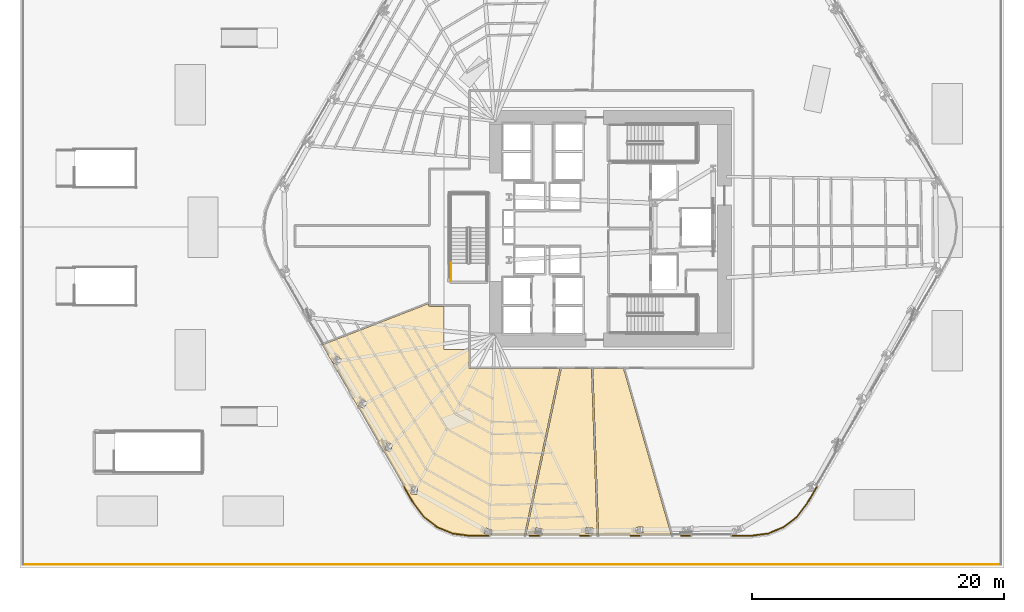
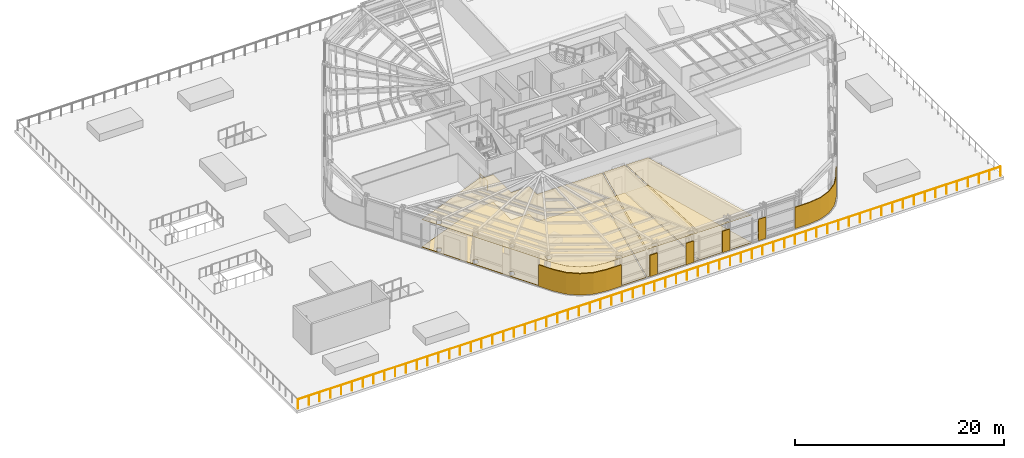
# One storey, part 12 of 18: 12 coverings, 2 railings.
"""IFC4 building model written with IfcOpenShell, lengths in metres."""

from ifc_helpers import new_model, si_unit, direction, frame, origin, origin_2d, place, context, subcontext, project, spatial, polyline, circle, outline, extrude, material, layer, layer_set, type_object, element, save


model = new_model("IFC4")

# Units and contexts
model_context = context("Model", 3, precision=1e-05, world=origin(), true_north=direction((0.0, 1.0)))
body_context = subcontext(model_context, "Body", "Model", "MODEL_VIEW")
ifc_project = project(units=[si_unit("LENGTHUNIT", "METRE"), si_unit("AREAUNIT", "SQUARE_METRE"), si_unit("VOLUMEUNIT", "CUBIC_METRE"), si_unit("PLANEANGLEUNIT", "RADIAN"), si_unit("MASSUNIT", "GRAM", prefix="KILO")], contexts=[model_context])

# Site, building, storey
site_placement = place(None, origin())
site = spatial("IfcSite", under=ifc_project, at=site_placement, CompositionType="ELEMENT")
building_placement = place(site_placement, origin())
building = spatial("IfcBuilding", under=site, at=building_placement, Name="Valkerne Bourse Tower", CompositionType="ELEMENT")
storey_placement = place(building_placement, frame((0.0, 0.0, 24.0)))
storey = spatial("IfcBuildingStorey", under=building, at=storey_placement, Name="L05", CompositionType="ELEMENT", Elevation=24.0)

# Coverings
ifc_material_1 = material(Name="Mineral Fiber Acoustic Ceiling Tile", Category="acoustic")
ifc_layer_1 = layer(ifc_material_1, 0.02490234375)
ifc_layer_set_1 = layer_set([ifc_layer_1], Name="Mineral Fiber Acoustic Ceiling Tile")
covering_type_1 = type_object("IfcCoveringType", Name="COV-CEIL-ACT", PredefinedType="CEILING", material=ifc_layer_set_1)
covering_1_placement = place(storey_placement, frame((0.0, 0.0, 3.22998046875)))
element("IfcCovering", 1, at=covering_1_placement, inside=storey, type_object=covering_type_1, Name="L05 Suspended Ceiling 03", PredefinedType="CEILING", context=body_context, shape_type="SweptSolid", body=[
    extrude(outline(polyline([(45.294189453125, 15.781005859375), (45.75634765625, 2.548828125), (40.096923828125, 2.548828125), (42.909423828125, 15.781005859375), (45.294189453125, 15.781005859375)]), holes=[polyline([(40.90625, 3.181640625), (40.90283203125, 3.182373046875), (40.79443359375, 2.732666015625), (41.352294921875, 2.59814453125), (41.355712890625, 2.59716796875), (41.46435546875, 3.047119140625), (40.90625, 3.181640625)]), polyline([(45.430419921875, 3.152587890625), (44.857666015625, 3.195556640625), (44.854248046875, 3.19580078125), (44.819580078125, 2.734619140625), (45.39208984375, 2.69140625), (45.3955078125, 2.691162109375), (45.430419921875, 3.152587890625)])]), origin(), (0.0, 0.0, 1.0), 0.02490234375),
])
covering_2_placement = place(storey_placement, frame((0.0, 0.0, 3.22998046875)))
element("IfcCovering", 2, at=covering_2_placement, inside=storey, type_object=covering_type_1, Name="L05 Suspended Ceiling 04", PredefinedType="CEILING", context=body_context, shape_type="SweptSolid", body=[
    extrude(outline(polyline([(47.840087890625, 15.781005859375), (51.634521484375, 2.548828125), (45.87451171875, 2.548828125), (45.412353515625, 15.781005859375), (47.840087890625, 15.781005859375)]), holes=[polyline([(49.425537109375, 2.79248046875), (49.42919921875, 2.79296875), (49.38720703125, 3.253662109375), (48.8154296875, 3.20166015625), (48.81201171875, 3.201416015625), (48.853759765625, 2.740478515625), (49.425537109375, 2.79248046875)])]), origin(), (0.0, 0.0, 1.0), 0.02490234375),
])
covering_3_placement = place(storey_placement, frame((0.0, 0.0, 3.22998046875)))
element("IfcCovering", 3, at=covering_3_placement, inside=storey, type_object=covering_type_1, Name="L05 Suspended Ceiling 05", PredefinedType="CEILING", context=body_context, shape_type="SweptSolid", body=[
    extrude(outline(polyline([(33.07470703125, 3.227294921875), (32.028076171875, 4.030517578125), (31.218994140625, 5.085205078125), (23.955078125, 17.666259765625), (32.381103515625, 20.9375), (32.383056640625, 20.782470703125), (32.408203125, 20.744873046875), (32.445556640625, 20.731201171875), (33.60009765625, 20.731201171875), (33.60009765625, 17.300048828125), (35.5810546875, 17.300048828125), (35.5810546875, 15.849365234375), (35.591064453125, 15.81396484375), (35.619873046875, 15.787841796875), (35.6494140625, 15.781005859375), (42.788818359375, 15.781005859375), (39.976318359375, 2.548828125), (37.32861328125, 2.548828125), (37.48828125, 2.941650390625), (36.95703125, 3.15771484375), (36.95361328125, 3.1591796875), (36.779296875, 2.730712890625), (37.22607421875, 2.548828125), (35.611572265625, 2.548828125), (34.2939453125, 2.722412109375), (33.07470703125, 3.227294921875)]), holes=[polyline([(31.524658203125, 6.381591796875), (31.067138671875, 6.4365234375), (30.995849609375, 5.86474609375), (30.998779296875, 5.862548828125), (31.456298828125, 5.8076171875), (31.527587890625, 6.37939453125), (31.524658203125, 6.381591796875)]), polyline([(29.51611328125, 9.77294921875), (29.072021484375, 9.8955078125), (28.916259765625, 9.340576171875), (28.918701171875, 9.337890625), (29.363037109375, 9.215576171875), (29.518798828125, 9.7705078125), (29.51611328125, 9.77294921875)]), polyline([(27.505126953125, 13.152587890625), (27.5029296875, 13.155517578125), (27.083984375, 13.347900390625), (26.84130859375, 12.8251953125), (26.843505859375, 12.822509765625), (27.26220703125, 12.6298828125), (27.505126953125, 13.152587890625)]), polyline([(25.4833984375, 16.529052734375), (25.481689453125, 16.5322265625), (25.100341796875, 16.791015625), (24.774658203125, 16.315673828125), (24.776123046875, 16.3125), (25.15771484375, 16.0537109375), (25.4833984375, 16.529052734375)])]), origin(), (0.0, 0.0, 1.0), 0.02490234375),
])
ifc_material_2 = material(Name="Bronze Anodised Aluminium AA 6063-T6", Category="aluminium")
ifc_layer_2 = layer(ifc_material_2, 0.06005859375)
ifc_layer_set_2 = layer_set([ifc_layer_2], Name="Bronze Anodised Aluminium AA 6063-T6")
covering_type_2 = type_object("IfcCoveringType", Name="COV-CRN-ALUM", PredefinedType="CLADDING", material=ifc_layer_set_2)
covering_4_placement = place(storey_placement, origin())
element("IfcCovering", 4, at=covering_4_placement, inside=storey, type_object=covering_type_2, Name="L05 Wind-Shaped Corner Aluminium Cladding 01", PredefinedType="CLADDING", context=body_context, shape_type="SweptSolid", body=[
    extrude(outline(polyline([(61.603515625, 3.999267578125), (60.54736328125, 3.18896484375), (59.3173828125, 2.679443359375), (57.9912109375, 2.5048828125), (56.3701171875, 2.5048828125), (56.3701171875, 2.5849609375), (57.986083984375, 2.5849609375), (59.296630859375, 2.757568359375), (60.507080078125, 3.2587890625), (61.54638671875, 4.056396484375), (62.35107421875, 5.10498046875), (63.1591796875, 6.50439453125), (63.228515625, 6.464599609375), (62.417724609375, 5.060546875), (61.603515625, 3.999267578125)])), origin(), (0.0, 0.0, 1.0), 2.5),
])
covering_5_placement = place(storey_placement, origin())
element("IfcCovering", 5, at=covering_5_placement, inside=storey, type_object=covering_type_2, Name="L05 Wind-Shaped Corner Aluminium Cladding 02", PredefinedType="CLADDING", context=body_context, shape_type="SweptSolid", body=[
    extrude(outline(polyline([(52.3740234375, 2.5048828125), (52.3740234375, 2.5849609375), (53.214111328125, 2.5849609375), (53.214111328125, 2.5048828125), (52.3740234375, 2.5048828125)])), origin(), (0.0, 0.0, 1.0), 2.5),
])
covering_6_placement = place(storey_placement, origin())
element("IfcCovering", 6, at=covering_6_placement, inside=storey, type_object=covering_type_2, Name="L05 Wind-Shaped Corner Aluminium Cladding 03", PredefinedType="CLADDING", context=body_context, shape_type="SweptSolid", body=[
    extrude(outline(polyline([(48.3779296875, 2.5048828125), (48.3779296875, 2.5849609375), (49.218017578125, 2.5849609375), (49.218017578125, 2.5048828125), (48.3779296875, 2.5048828125)])), origin(), (0.0, 0.0, 1.0), 2.5),
])
covering_7_placement = place(storey_placement, origin())
element("IfcCovering", 7, at=covering_7_placement, inside=storey, type_object=covering_type_2, Name="L05 Wind-Shaped Corner Aluminium Cladding 04", PredefinedType="CLADDING", context=body_context, shape_type="SweptSolid", body=[
    extrude(outline(polyline([(44.382080078125, 2.5048828125), (44.382080078125, 2.5849609375), (45.221923828125, 2.5849609375), (45.221923828125, 2.5048828125), (44.382080078125, 2.5048828125)])), origin(), (0.0, 0.0, 1.0), 2.5),
])
covering_8_placement = place(storey_placement, origin())
element("IfcCovering", 8, at=covering_8_placement, inside=storey, type_object=covering_type_2, Name="L05 Wind-Shaped Corner Aluminium Cladding 05", PredefinedType="CLADDING", context=body_context, shape_type="SweptSolid", body=[
    extrude(outline(polyline([(40.385986328125, 2.5048828125), (40.385986328125, 2.5849609375), (41.22607421875, 2.5849609375), (41.22607421875, 2.5048828125), (40.385986328125, 2.5048828125)])), origin(), (0.0, 0.0, 1.0), 2.5),
])
covering_9_placement = place(storey_placement, origin())
element("IfcCovering", 9, at=covering_9_placement, inside=storey, type_object=covering_type_2, Name="L05 Wind-Shaped Corner Aluminium Cladding 06", PredefinedType="CLADDING", context=body_context, shape_type="SweptSolid", body=[
    extrude(outline(polyline([(35.60888671875, 2.5048828125), (34.282470703125, 2.679443359375), (33.052490234375, 3.18896484375), (31.99658203125, 3.999267578125), (31.18212890625, 5.060546875), (30.37158203125, 6.464599609375), (30.44091796875, 6.50439453125), (31.248779296875, 5.10498046875), (32.0537109375, 4.056396484375), (33.093017578125, 3.2587890625), (34.303466796875, 2.757568359375), (35.614013671875, 2.5849609375), (37.22998046875, 2.5849609375), (37.22998046875, 2.5048828125), (35.60888671875, 2.5048828125)])), origin(), (0.0, 0.0, 1.0), 2.5),
])
ifc_material_3 = material(Name="Galvanised Painted Steel", Category="steel")
ifc_layer_3 = layer(ifc_material_3, 0.044921875)
ifc_layer_set_3 = layer_set([ifc_layer_3], Name="Galvanised Painted Steel")
covering_type_3 = type_object("IfcCoveringType", Name="COV-FLR-RAF", PredefinedType="FLOORING", material=ifc_layer_set_3)
covering_10_placement = place(storey_placement, origin())
element("IfcCovering", 10, at=covering_10_placement, inside=storey, type_object=covering_type_3, Name="L05 Floor Finish 05", PredefinedType="FLOORING", context=body_context, shape_type="SweptSolid", body=[
    extrude(outline(polyline([(33.07470703125, 3.227294921875), (32.028076171875, 4.030517578125), (31.218994140625, 5.085205078125), (23.955078125, 17.666259765625), (32.381103515625, 20.9375), (32.383056640625, 20.782470703125), (32.408203125, 20.744873046875), (32.445556640625, 20.731201171875), (33.60009765625, 20.731201171875), (33.60009765625, 17.300048828125), (35.5810546875, 17.300048828125), (35.5810546875, 15.849365234375), (35.591064453125, 15.81396484375), (35.619873046875, 15.787841796875), (35.6494140625, 15.781005859375), (42.788818359375, 15.781005859375), (39.976318359375, 2.548828125), (37.32861328125, 2.548828125), (37.48828125, 2.941650390625), (36.95703125, 3.15771484375), (36.95361328125, 3.1591796875), (36.779296875, 2.730712890625), (37.22607421875, 2.548828125), (35.611572265625, 2.548828125), (34.2939453125, 2.722412109375), (33.07470703125, 3.227294921875)]), holes=[polyline([(31.524658203125, 6.381591796875), (31.067138671875, 6.4365234375), (30.995849609375, 5.86474609375), (30.998779296875, 5.862548828125), (31.456298828125, 5.8076171875), (31.527587890625, 6.37939453125), (31.524658203125, 6.381591796875)]), polyline([(29.51611328125, 9.77294921875), (29.072021484375, 9.8955078125), (28.916259765625, 9.340576171875), (28.918701171875, 9.337890625), (29.363037109375, 9.215576171875), (29.518798828125, 9.7705078125), (29.51611328125, 9.77294921875)]), polyline([(27.505126953125, 13.152587890625), (27.5029296875, 13.155517578125), (27.083984375, 13.347900390625), (26.84130859375, 12.8251953125), (26.843505859375, 12.822509765625), (27.26220703125, 12.6298828125), (27.505126953125, 13.152587890625)]), polyline([(25.4833984375, 16.529052734375), (25.481689453125, 16.5322265625), (25.100341796875, 16.791015625), (24.774658203125, 16.315673828125), (24.776123046875, 16.3125), (25.15771484375, 16.0537109375), (25.4833984375, 16.529052734375)])]), origin(), (0.0, 0.0, 1.0), 0.044921875),
])
ifc_material_4 = material(Name="Polished Granite Stone", Category="masonry")
ifc_layer_4 = layer(ifc_material_4, 0.030029296875)
ifc_layer_set_4 = layer_set([ifc_layer_4], Name="Polished Granite Stone")
covering_type_4 = type_object("IfcCoveringType", Name="COV-FLR-TERRAZZO", PredefinedType="FLOORING", material=ifc_layer_set_4)
covering_11_placement = place(storey_placement, origin())
element("IfcCovering", 11, at=covering_11_placement, inside=storey, type_object=covering_type_4, Name="L05 Floor Finish 03", PredefinedType="FLOORING", context=body_context, shape_type="SweptSolid", body=[
    extrude(outline(polyline([(45.294189453125, 15.781005859375), (45.75634765625, 2.548828125), (40.096923828125, 2.548828125), (42.909423828125, 15.781005859375), (45.294189453125, 15.781005859375)]), holes=[polyline([(40.90625, 3.181640625), (40.90283203125, 3.182373046875), (40.79443359375, 2.732666015625), (41.352294921875, 2.59814453125), (41.355712890625, 2.59716796875), (41.46435546875, 3.047119140625), (40.90625, 3.181640625)]), polyline([(45.430419921875, 3.152587890625), (44.857666015625, 3.195556640625), (44.854248046875, 3.19580078125), (44.819580078125, 2.734619140625), (45.39208984375, 2.69140625), (45.3955078125, 2.691162109375), (45.430419921875, 3.152587890625)])]), origin(), (0.0, 0.0, 1.0), 0.030029296875),
])
covering_12_placement = place(storey_placement, origin())
element("IfcCovering", 12, at=covering_12_placement, inside=storey, type_object=covering_type_4, Name="L05 Floor Finish 04", PredefinedType="FLOORING", context=body_context, shape_type="SweptSolid", body=[
    extrude(outline(polyline([(47.840087890625, 15.781005859375), (51.634521484375, 2.548828125), (45.87451171875, 2.548828125), (45.412353515625, 15.781005859375), (47.840087890625, 15.781005859375)]), holes=[polyline([(49.425537109375, 2.79248046875), (49.42919921875, 2.79296875), (49.38720703125, 3.253662109375), (48.8154296875, 3.20166015625), (48.81201171875, 3.201416015625), (48.853759765625, 2.740478515625), (49.425537109375, 2.79248046875)])]), origin(), (0.0, 0.0, 1.0), 0.030029296875),
])

# Railings
ifc_material_5 = material(Name="Laminated Tempered Safety Glass", Category="glass")
railing_type_1 = type_object("IfcRailingType", Name="RLG-GUARD-1150", PredefinedType="BALUSTRADE", material=ifc_material_5)
railing_1_placement = place(storey_placement, frame((0.25, 0.25, 0.0)))
element("IfcRailing", 13, at=railing_1_placement, inside=storey, type_object=railing_type_1, Name="L05 Perimeter Guard Railing GRD-L05-OUT-01", PredefinedType="BALUSTRADE", context=body_context, shape_type="SweptSolid", body=[
    extrude(circle(Radius=0.02392578125, at=origin_2d()), frame((0.0, 0.0, 1.1259765625), z_axis=(1.0, 0.0, 0.0), x_axis=(0.0, 1.0, 0.0)), (0.0, 0.0, 1.0), 77.5),
    extrude(circle(Radius=0.02099609375, at=origin_2d()), origin(), (0.0, 0.0, 1.0), 1.101806640625),
    extrude(circle(Radius=0.02099609375, at=origin_2d()), frame((1.1923828125, 0.0, 0.0)), (0.0, 0.0, 1.0), 1.101806640625),
    extrude(circle(Radius=0.02099609375, at=origin_2d()), frame((2.384521484375, 0.0, 0.0)), (0.0, 0.0, 1.0), 1.101806640625),
    extrude(circle(Radius=0.02099609375, at=origin_2d()), frame((3.576904296875, 0.0, 0.0)), (0.0, 0.0, 1.0), 1.101806640625),
    extrude(circle(Radius=0.02099609375, at=origin_2d()), frame((4.769287109375, 0.0, 0.0)), (0.0, 0.0, 1.0), 1.101806640625),
    extrude(circle(Radius=0.02099609375, at=origin_2d()), frame((5.96142578125, 0.0, 0.0)), (0.0, 0.0, 1.0), 1.101806640625),
    extrude(circle(Radius=0.02099609375, at=origin_2d()), frame((7.15380859375, 0.0, 0.0)), (0.0, 0.0, 1.0), 1.101806640625),
    extrude(circle(Radius=0.02099609375, at=origin_2d()), frame((8.34619140625, 0.0, 0.0)), (0.0, 0.0, 1.0), 1.101806640625),
    extrude(circle(Radius=0.02099609375, at=origin_2d()), frame((9.53857421875, 0.0, 0.0)), (0.0, 0.0, 1.0), 1.101806640625),
    extrude(circle(Radius=0.02099609375, at=origin_2d()), frame((10.730712890625, 0.0, 0.0)), (0.0, 0.0, 1.0), 1.101806640625),
    extrude(circle(Radius=0.02099609375, at=origin_2d()), frame((11.923095703125, 0.0, 0.0)), (0.0, 0.0, 1.0), 1.101806640625),
    extrude(circle(Radius=0.02099609375, at=origin_2d()), frame((13.115478515625, 0.0, 0.0)), (0.0, 0.0, 1.0), 1.101806640625),
    extrude(circle(Radius=0.02099609375, at=origin_2d()), frame((14.3076171875, 0.0, 0.0)), (0.0, 0.0, 1.0), 1.101806640625),
    extrude(circle(Radius=0.02099609375, at=origin_2d()), frame((15.5, 0.0, 0.0)), (0.0, 0.0, 1.0), 1.101806640625),
    extrude(circle(Radius=0.02099609375, at=origin_2d()), frame((16.6923828125, 0.0, 0.0)), (0.0, 0.0, 1.0), 1.101806640625),
    extrude(circle(Radius=0.02099609375, at=origin_2d()), frame((17.884521484375, 0.0, 0.0)), (0.0, 0.0, 1.0), 1.101806640625),
    extrude(circle(Radius=0.02099609375, at=origin_2d()), frame((19.076904296875, 0.0, 0.0)), (0.0, 0.0, 1.0), 1.101806640625),
    extrude(circle(Radius=0.02099609375, at=origin_2d()), frame((20.269287109375, 0.0, 0.0)), (0.0, 0.0, 1.0), 1.101806640625),
    extrude(circle(Radius=0.02099609375, at=origin_2d()), frame((21.46142578125, 0.0, 0.0)), (0.0, 0.0, 1.0), 1.101806640625),
    extrude(circle(Radius=0.02099609375, at=origin_2d()), frame((22.65380859375, 0.0, 0.0)), (0.0, 0.0, 1.0), 1.101806640625),
    extrude(circle(Radius=0.02099609375, at=origin_2d()), frame((23.84619140625, 0.0, 0.0)), (0.0, 0.0, 1.0), 1.101806640625),
    extrude(circle(Radius=0.02099609375, at=origin_2d()), frame((25.03857421875, 0.0, 0.0)), (0.0, 0.0, 1.0), 1.101806640625),
    extrude(circle(Radius=0.02099609375, at=origin_2d()), frame((26.230712890625, 0.0, 0.0)), (0.0, 0.0, 1.0), 1.101806640625),
    extrude(circle(Radius=0.02099609375, at=origin_2d()), frame((27.423095703125, 0.0, 0.0)), (0.0, 0.0, 1.0), 1.101806640625),
    extrude(circle(Radius=0.02099609375, at=origin_2d()), frame((28.615478515625, 0.0, 0.0)), (0.0, 0.0, 1.0), 1.101806640625),
    extrude(circle(Radius=0.02099609375, at=origin_2d()), frame((29.8076171875, 0.0, 0.0)), (0.0, 0.0, 1.0), 1.101806640625),
    extrude(circle(Radius=0.02099609375, at=origin_2d()), frame((31.0, 0.0, 0.0)), (0.0, 0.0, 1.0), 1.101806640625),
    extrude(circle(Radius=0.02099609375, at=origin_2d()), frame((32.1923828125, 0.0, 0.0)), (0.0, 0.0, 1.0), 1.101806640625),
    extrude(circle(Radius=0.02099609375, at=origin_2d()), frame((33.384521484375, 0.0, 0.0)), (0.0, 0.0, 1.0), 1.101806640625),
    extrude(circle(Radius=0.02099609375, at=origin_2d()), frame((34.576904296875, 0.0, 0.0)), (0.0, 0.0, 1.0), 1.101806640625),
    extrude(circle(Radius=0.02099609375, at=origin_2d()), frame((35.769287109375, 0.0, 0.0)), (0.0, 0.0, 1.0), 1.101806640625),
    extrude(circle(Radius=0.02099609375, at=origin_2d()), frame((36.96142578125, 0.0, 0.0)), (0.0, 0.0, 1.0), 1.101806640625),
    extrude(circle(Radius=0.02099609375, at=origin_2d()), frame((38.15380859375, 0.0, 0.0)), (0.0, 0.0, 1.0), 1.101806640625),
    extrude(circle(Radius=0.02099609375, at=origin_2d()), frame((39.34619140625, 0.0, 0.0)), (0.0, 0.0, 1.0), 1.101806640625),
    extrude(circle(Radius=0.02099609375, at=origin_2d()), frame((40.53857421875, 0.0, 0.0)), (0.0, 0.0, 1.0), 1.101806640625),
    extrude(circle(Radius=0.02099609375, at=origin_2d()), frame((41.730712890625, 0.0, 0.0)), (0.0, 0.0, 1.0), 1.101806640625),
    extrude(circle(Radius=0.02099609375, at=origin_2d()), frame((42.923095703125, 0.0, 0.0)), (0.0, 0.0, 1.0), 1.101806640625),
    extrude(circle(Radius=0.02099609375, at=origin_2d()), frame((44.115478515625, 0.0, 0.0)), (0.0, 0.0, 1.0), 1.101806640625),
    extrude(circle(Radius=0.02099609375, at=origin_2d()), frame((45.3076171875, 0.0, 0.0)), (0.0, 0.0, 1.0), 1.101806640625),
    extrude(circle(Radius=0.02099609375, at=origin_2d()), frame((46.5, 0.0, 0.0)), (0.0, 0.0, 1.0), 1.101806640625),
    extrude(circle(Radius=0.02099609375, at=origin_2d()), frame((47.6923828125, 0.0, 0.0)), (0.0, 0.0, 1.0), 1.101806640625),
    extrude(circle(Radius=0.02099609375, at=origin_2d()), frame((48.884521484375, 0.0, 0.0)), (0.0, 0.0, 1.0), 1.101806640625),
    extrude(circle(Radius=0.02099609375, at=origin_2d()), frame((50.076904296875, 0.0, 0.0)), (0.0, 0.0, 1.0), 1.101806640625),
    extrude(circle(Radius=0.02099609375, at=origin_2d()), frame((51.269287109375, 0.0, 0.0)), (0.0, 0.0, 1.0), 1.101806640625),
    extrude(circle(Radius=0.02099609375, at=origin_2d()), frame((52.46142578125, 0.0, 0.0)), (0.0, 0.0, 1.0), 1.101806640625),
    extrude(circle(Radius=0.02099609375, at=origin_2d()), frame((53.65380859375, 0.0, 0.0)), (0.0, 0.0, 1.0), 1.101806640625),
    extrude(circle(Radius=0.02099609375, at=origin_2d()), frame((54.84619140625, 0.0, 0.0)), (0.0, 0.0, 1.0), 1.101806640625),
    extrude(circle(Radius=0.02099609375, at=origin_2d()), frame((56.03857421875, 0.0, 0.0)), (0.0, 0.0, 1.0), 1.101806640625),
    extrude(circle(Radius=0.02099609375, at=origin_2d()), frame((57.230712890625, 0.0, 0.0)), (0.0, 0.0, 1.0), 1.101806640625),
    extrude(circle(Radius=0.02099609375, at=origin_2d()), frame((58.423095703125, 0.0, 0.0)), (0.0, 0.0, 1.0), 1.101806640625),
    extrude(circle(Radius=0.02099609375, at=origin_2d()), frame((59.615478515625, 0.0, 0.0)), (0.0, 0.0, 1.0), 1.101806640625),
    extrude(circle(Radius=0.02099609375, at=origin_2d()), frame((60.8076171875, 0.0, 0.0)), (0.0, 0.0, 1.0), 1.101806640625),
    extrude(circle(Radius=0.02099609375, at=origin_2d()), frame((62.0, 0.0, 0.0)), (0.0, 0.0, 1.0), 1.101806640625),
    extrude(circle(Radius=0.02099609375, at=origin_2d()), frame((63.1923828125, 0.0, 0.0)), (0.0, 0.0, 1.0), 1.101806640625),
    extrude(circle(Radius=0.02099609375, at=origin_2d()), frame((64.384521484375, 0.0, 0.0)), (0.0, 0.0, 1.0), 1.101806640625),
    extrude(circle(Radius=0.02099609375, at=origin_2d()), frame((65.576904296875, 0.0, 0.0)), (0.0, 0.0, 1.0), 1.101806640625),
    extrude(circle(Radius=0.02099609375, at=origin_2d()), frame((66.769287109375, 0.0, 0.0)), (0.0, 0.0, 1.0), 1.101806640625),
    extrude(circle(Radius=0.02099609375, at=origin_2d()), frame((67.96142578125, 0.0, 0.0)), (0.0, 0.0, 1.0), 1.101806640625),
    extrude(circle(Radius=0.02099609375, at=origin_2d()), frame((69.15380859375, 0.0, 0.0)), (0.0, 0.0, 1.0), 1.101806640625),
    extrude(circle(Radius=0.02099609375, at=origin_2d()), frame((70.34619140625, 0.0, 0.0)), (0.0, 0.0, 1.0), 1.101806640625),
    extrude(circle(Radius=0.02099609375, at=origin_2d()), frame((71.53857421875, 0.0, 0.0)), (0.0, 0.0, 1.0), 1.101806640625),
    extrude(circle(Radius=0.02099609375, at=origin_2d()), frame((72.730712890625, 0.0, 0.0)), (0.0, 0.0, 1.0), 1.101806640625),
    extrude(circle(Radius=0.02099609375, at=origin_2d()), frame((73.923095703125, 0.0, 0.0)), (0.0, 0.0, 1.0), 1.101806640625),
    extrude(circle(Radius=0.02099609375, at=origin_2d()), frame((75.115478515625, 0.0, 0.0)), (0.0, 0.0, 1.0), 1.101806640625),
    extrude(circle(Radius=0.02099609375, at=origin_2d()), frame((76.3076171875, 0.0, 0.0)), (0.0, 0.0, 1.0), 1.101806640625),
    extrude(circle(Radius=0.02099609375, at=origin_2d()), frame((77.5, 0.0, 0.0)), (0.0, 0.0, 1.0), 1.101806640625),
])
railing_type_2 = type_object("IfcRailingType", Name="RLG-ST-GUARD-1120", PredefinedType="GUARDRAIL", material=ifc_material_3)
railing_2_placement = place(storey_placement, frame((34.14990234375, 22.75, 0.0)))
element("IfcRailing", 14, at=railing_2_placement, inside=storey, type_object=railing_type_2, Name="L05 ST-3 stair guard 9", PredefinedType="GUARDRAIL", context=body_context, shape_type="SweptSolid", body=[
    extrude(circle(Radius=0.02392578125, at=origin_2d()), frame((0.0, 0.0, 1.09619140625), z_axis=(0.0, 1.0, 0.0), x_axis=(-1.0, 0.0, 0.0)), (0.0, 0.0, 1.0), 1.39990234375),
    extrude(circle(Radius=0.02099609375, at=origin_2d()), origin(), (0.0, 0.0, 1.0), 1.072021484375),
    extrude(circle(Radius=0.02099609375, at=origin_2d()), frame((0.0, 0.699951171875, 0.0)), (0.0, 0.0, 1.0), 1.072021484375),
    extrude(circle(Radius=0.02099609375, at=origin_2d()), frame((0.0, 1.39990234375, 0.0)), (0.0, 0.0, 1.0), 1.072021484375),
])

save(model, "model.ifc")
